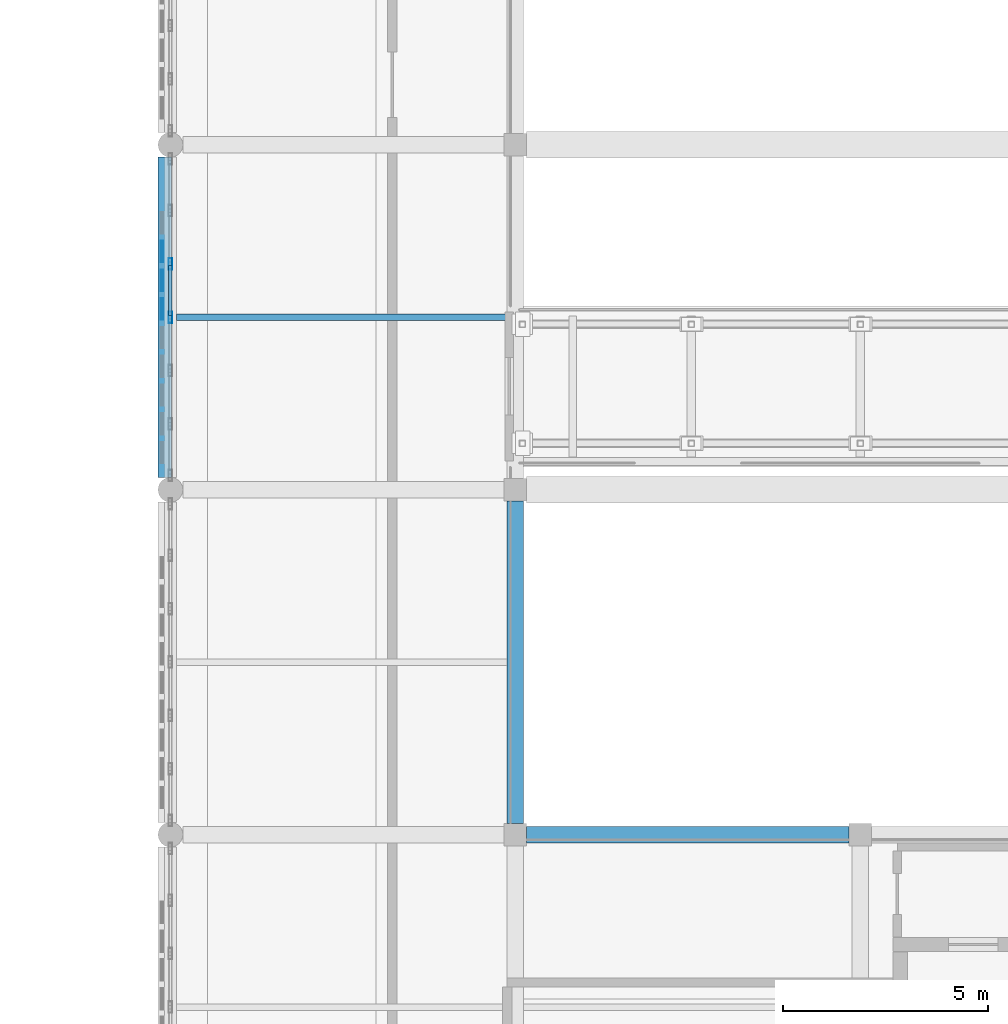
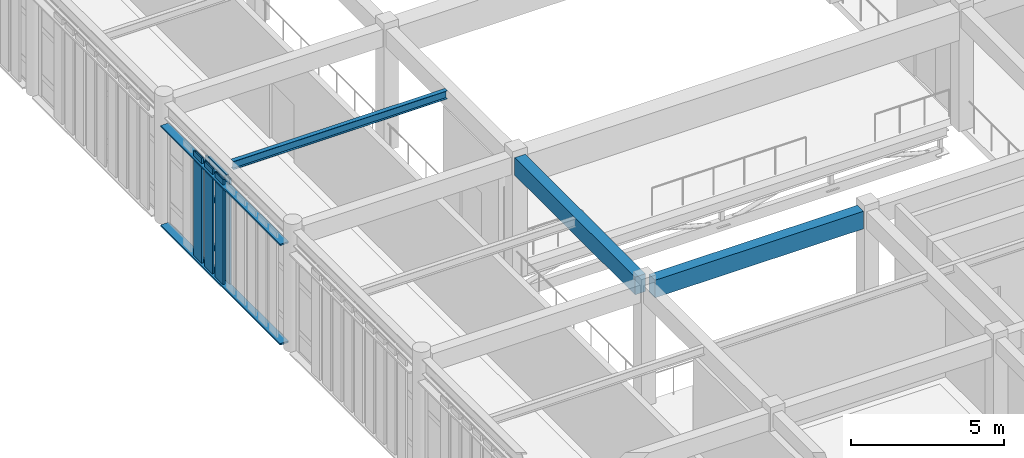
# One storey, part 15 of 77: 11 members, 3 beams, 1 element without a shape of its own.
"""IFC4 building model written with IfcOpenShell, lengths in metres."""

from ifc_helpers import new_model, si_unit, direction, frame, origin, origin_2d, place, context, subcontext, project, spatial, rectangle, hollow_rectangle, i_section, extrude, material, layer, layer_set, material_profile, profile_set, type_object, element, aggregate, save


model = new_model("IFC4")

# Units and contexts
model_context = context("Model", 3, precision=1e-05, world=origin(), true_north=direction((0.0, 1.0)))
body_context = subcontext(model_context, "Body", "Model", "MODEL_VIEW")
ifc_project = project(units=[si_unit("LENGTHUNIT", "METRE"), si_unit("AREAUNIT", "SQUARE_METRE"), si_unit("VOLUMEUNIT", "CUBIC_METRE"), si_unit("PLANEANGLEUNIT", "RADIAN"), si_unit("MASSUNIT", "GRAM", prefix="KILO")], contexts=[model_context])

# Site, building, storey
site_placement = place(None, origin())
site = spatial("IfcSite", under=ifc_project, at=site_placement, CompositionType="ELEMENT")
building_placement = place(site_placement, origin())
building = spatial("IfcBuilding", under=site, at=building_placement, Name="Krzemoval Escarpment Law Courts", CompositionType="ELEMENT")
storey_placement = place(building_placement, frame((0.0, 0.0, 15.300048828125)))
storey = spatial("IfcBuildingStorey", under=building, at=storey_placement, Name="L03", CompositionType="ELEMENT", Elevation=15.300048828125)

# Beams
ifc_material_1 = material(Name="Concrete C40/50", Category="concrete")
ifc_material_profile_1 = material_profile(ifc_material_1, rectangle(XDim=0.39990234375, YDim=0.699951171875, at=origin_2d()), Name="RCB 400x700")
ifc_profile_set_1 = profile_set([ifc_material_profile_1], Name="Concrete C40/50")
beam_type_1 = type_object("IfcBeamType", Name="BM-RC-400x700", PredefinedType="BEAM", material=ifc_profile_set_1)
beam_1_placement = place(storey_placement, frame((17.074951171875, 49.199951171875, 4.489990234375), z_axis=(1.0, 0.0, 0.0), x_axis=(0.0, 1.0, 0.0)))
element("IfcBeam", 1, at=beam_1_placement, inside=storey, type_object=beam_type_1, Name="Beam FG-L03-2154", PredefinedType="BEAM", context=body_context, shape_type="SweptSolid", body=[
    extrude(rectangle(XDim=0.39990234375, YDim=0.699951171875, at=origin_2d()), origin(), (0.0, 0.0, 1.0), 7.85009765625),
])
beam_2_placement = place(storey_placement, frame((16.800048828125, 49.47509765625, 4.489990234375), z_axis=(0.0, 1.0, 0.0), x_axis=(-1.0, 0.0, 0.0)))
element("IfcBeam", 2, at=beam_2_placement, inside=storey, type_object=beam_type_1, Name="Beam FG-L03-2233", PredefinedType="BEAM", context=body_context, shape_type="SweptSolid", body=[
    extrude(rectangle(XDim=0.39990234375, YDim=0.699951171875, at=origin_2d()), origin(), (0.0, 0.0, 1.0), 7.849853515625),
])

# Curtain wall, members
ifc_material_2 = material(Name="Aluminium 6063-T6", Category="aluminium")
ifc_layer = layer(ifc_material_2, 0.280029296875)
ifc_layer_set = layer_set([ifc_layer], Name="Aluminium 6063-T6")
curtain_wall_type = type_object("IfcCurtainWallType", Name="CW-HALL-5100", PredefinedType="USERDEFINED", material=ifc_layer_set)
curtain_wall_placement = place(storey_placement, origin())
curtain_wall = element("IfcCurtainWall", 3, at=curtain_wall_placement, inside=storey, type_object=curtain_wall_type, Name="Unitised Curtain Wall FCW-L03-099", ObjectType="UNITISED_CURTAIN_WALL", PredefinedType="USERDEFINED")
ifc_material_3 = material(Name="Aluminium 6063-T6", Category="aluminium")
ifc_material_profile_2 = material_profile(ifc_material_3, hollow_rectangle(XDim=0.0849609375, YDim=0.280029296875, WallThickness=0.005615234375, at=origin_2d()), Name="ALU M85x280")
ifc_profile_set_2 = profile_set([ifc_material_profile_2], Name="Aluminium 6063-T6")
member_type_1 = type_object("IfcMemberType", Name="CWM-85x280", PredefinedType="MULLION", material=ifc_profile_set_2)
member_1_placement = place(storey_placement, frame((8.39990234375, 61.800048828125, 0.0), z_axis=(0.0, 0.0, 1.0), x_axis=(-1.0, 0.0, 0.0)))
member_1 = element("IfcMember", 4, at=member_1_placement, type_object=member_type_1, Name="FCW-L03-099 mullion 4", PredefinedType="MULLION", context=body_context, shape_type="SweptSolid", body=[
    extrude(hollow_rectangle(XDim=0.0849609375, YDim=0.280029296875, WallThickness=0.005615234375, at=origin_2d()), origin(), (0.0, 0.0, 1.0), 4.239990234375),
])
member_2_placement = place(storey_placement, frame((8.39990234375, 63.10009765625, 0.0), z_axis=(0.0, 0.0, 1.0), x_axis=(-1.0, 0.0, 0.0)))
member_2 = element("IfcMember", 5, at=member_2_placement, type_object=member_type_1, Name="FCW-L03-099 mullion 5", PredefinedType="MULLION", context=body_context, shape_type="SweptSolid", body=[
    extrude(hollow_rectangle(XDim=0.0849609375, YDim=0.280029296875, WallThickness=0.005615234375, at=origin_2d()), origin(), (0.0, 0.0, 1.0), 4.239990234375),
])
ifc_material_4 = material(Name="Aluminium 6063-T6", Category="aluminium")
ifc_material_profile_3 = material_profile(ifc_material_4, hollow_rectangle(XDim=0.0849609375, YDim=0.2099609375, WallThickness=0.005615234375, at=origin_2d()), Name="ALU T85x210")
ifc_profile_set_3 = profile_set([ifc_material_profile_3], Name="Aluminium 6063-T6")
member_type_2 = type_object("IfcMemberType", Name="CWT-85x210", PredefinedType="USERDEFINED", material=ifc_profile_set_3)
member_3_placement = place(storey_placement, frame((8.39990234375, 61.842529296875, 0.04248046875), z_axis=(0.0, 1.0, 0.0), x_axis=(-1.0, 0.0, 0.0)))
member_3 = element("IfcMember", 6, at=member_3_placement, type_object=member_type_2, Name="FCW-L03-099 transom 4.1", ObjectType="TRANSOM", PredefinedType="USERDEFINED", context=body_context, shape_type="SweptSolid", body=[
    extrude(hollow_rectangle(XDim=0.0849609375, YDim=0.2099609375, WallThickness=0.005615234375, at=origin_2d()), origin(), (0.0, 0.0, 1.0), 1.215087890625),
])
member_4_placement = place(storey_placement, frame((8.39990234375, 61.842529296875, 0.89990234375), z_axis=(0.0, 1.0, 0.0), x_axis=(-1.0, 0.0, 0.0)))
member_4 = element("IfcMember", 7, at=member_4_placement, type_object=member_type_2, Name="FCW-L03-099 transom 4.2", ObjectType="TRANSOM", PredefinedType="USERDEFINED", context=body_context, shape_type="SweptSolid", body=[
    extrude(hollow_rectangle(XDim=0.0849609375, YDim=0.2099609375, WallThickness=0.005615234375, at=origin_2d()), origin(), (0.0, 0.0, 1.0), 1.215087890625),
])
member_5_placement = place(storey_placement, frame((8.39990234375, 61.842529296875, 2.800048828125), z_axis=(0.0, 1.0, 0.0), x_axis=(-1.0, 0.0, 0.0)))
member_5 = element("IfcMember", 8, at=member_5_placement, type_object=member_type_2, Name="FCW-L03-099 transom 4.3", ObjectType="TRANSOM", PredefinedType="USERDEFINED", context=body_context, shape_type="SweptSolid", body=[
    extrude(hollow_rectangle(XDim=0.0849609375, YDim=0.2099609375, WallThickness=0.005615234375, at=origin_2d()), origin(), (0.0, 0.0, 1.0), 1.215087890625),
])
member_6_placement = place(storey_placement, frame((8.39990234375, 61.842529296875, 4.197509765625), z_axis=(0.0, 1.0, 0.0), x_axis=(-1.0, 0.0, 0.0)))
member_6 = element("IfcMember", 9, at=member_6_placement, type_object=member_type_2, Name="FCW-L03-099 transom 4.4", ObjectType="TRANSOM", PredefinedType="USERDEFINED", context=body_context, shape_type="SweptSolid", body=[
    extrude(hollow_rectangle(XDim=0.0849609375, YDim=0.2099609375, WallThickness=0.005615234375, at=origin_2d()), origin(), (0.0, 0.0, 1.0), 1.215087890625),
])
aggregate(curtain_wall, [member_1, member_2, member_3, member_4, member_5, member_6])

# Beam
ifc_material_5 = material(Name="Steel S355", Category="steel")
ifc_material_profile_4 = material_profile(ifc_material_5, i_section(OverallWidth=0.159912109375, OverallDepth=0.330078125, WebThickness=0.007568359375, FlangeThickness=0.011474609375, at=origin_2d()), Name="IPE 330")
ifc_profile_set_4 = profile_set([ifc_material_profile_4], Name="Steel S355")
beam_type_2 = type_object("IfcBeamType", Name="JST-S355-IPE330", PredefinedType="JOIST", material=ifc_profile_set_4)
beam_3_placement = place(storey_placement, frame((8.550048828125, 61.800048828125, 4.675048828125), z_axis=(1.0, 0.0, 0.0), x_axis=(0.0, 1.0, 0.0)))
element("IfcBeam", 10, at=beam_3_placement, inside=storey, type_object=beam_type_2, Name="Secondary Joist FJ-L03-2364", PredefinedType="JOIST", context=body_context, shape_type="SweptSolid", body=[
    extrude(i_section(OverallWidth=0.159912109375, OverallDepth=0.330078125, WebThickness=0.007568359375, FlangeThickness=0.011474609375, at=origin_2d()), origin(), (0.0, 0.0, 1.0), 8.050048828125),
])

# Members
ifc_material_6 = material(Name="Anodised Aluminium Alloy 6063-T6", Category="aluminium")
ifc_material_profile_5 = material_profile(ifc_material_6, hollow_rectangle(XDim=0.06005859375, YDim=0.320068359375, WallThickness=0.00390625, at=origin_2d()), Name="ALU LVR 60x320")
ifc_profile_set_5 = profile_set([ifc_material_profile_5], Name="Anodised Aluminium Alloy 6063-T6")
member_type_3 = type_object("IfcMemberType", Name="LVR-ALU-320", PredefinedType="USERDEFINED", material=ifc_profile_set_5)
for number, where, z_axis, x_axis, name in (
    (11, (8.260009765625, 57.89990234375, 0.030029296875), (0.0, 1.0, 0.0), (0.0, 0.0, 1.0), "Sunshade Support Rail FSR-L03-0635"),
    (12, (8.260009765625, 57.89990234375, 3.989990234375), (0.0, 1.0, 0.0), (0.0, 0.0, 1.0), "Sunshade Support Rail FSR-L03-0636"),
):
    element("IfcMember", number, at=place(storey_placement, frame(where, z_axis=z_axis, x_axis=x_axis)), inside=storey, type_object=member_type_3, Name=name, ObjectType="SUNSHADE_LOUVRE", PredefinedType="USERDEFINED", context=body_context, shape_type="SweptSolid", body=[
        extrude(hollow_rectangle(XDim=0.06005859375, YDim=0.320068359375, WallThickness=0.00390625, at=origin_2d()), origin(), (0.0, 0.0, 1.0), 7.800048828125),
    ])
ifc_material_7 = material(Name="Anodised Aluminium Alloy 6063-T6", Category="aluminium")
ifc_material_profile_6 = material_profile(ifc_material_7, hollow_rectangle(XDim=0.06494140625, YDim=0.52001953125, WallThickness=0.00439453125, at=origin_2d()), Name="ALU LVR 65x520")
ifc_profile_set_6 = profile_set([ifc_material_profile_6], Name="Anodised Aluminium Alloy 6063-T6")
member_type_4 = type_object("IfcMemberType", Name="LVR-ALU-520", PredefinedType="USERDEFINED", material=ifc_profile_set_6)
for number, where, z_axis, x_axis, name in (
    (13, (8.199951171875, 62.0, 0.06005859375), (0.0, 0.0, 1.0), (1.0, 0.0, 0.0), "Sunshade Louvre Fin FLV-L03-0642"),
    (14, (8.199951171875, 62.699951171875, 0.06005859375), (0.0, 0.0, 1.0), (1.0, 0.0, 0.0), "Sunshade Louvre Fin FLV-L03-0643"),
    (15, (8.199951171875, 63.39990234375, 0.06005859375), (0.0, 0.0, 1.0), (1.0, 0.0, 0.0), "Sunshade Louvre Fin FLV-L03-0644"),
):
    element("IfcMember", number, at=place(storey_placement, frame(where, z_axis=z_axis, x_axis=x_axis)), inside=storey, type_object=member_type_4, Name=name, ObjectType="SUNSHADE_LOUVRE", PredefinedType="USERDEFINED", context=body_context, shape_type="SweptSolid", body=[
        extrude(hollow_rectangle(XDim=0.06494140625, YDim=0.52001953125, WallThickness=0.00439453125, at=origin_2d()), origin(), (0.0, 0.0, 1.0), 4.179931640625),
    ])

save(model, "model.ifc")
